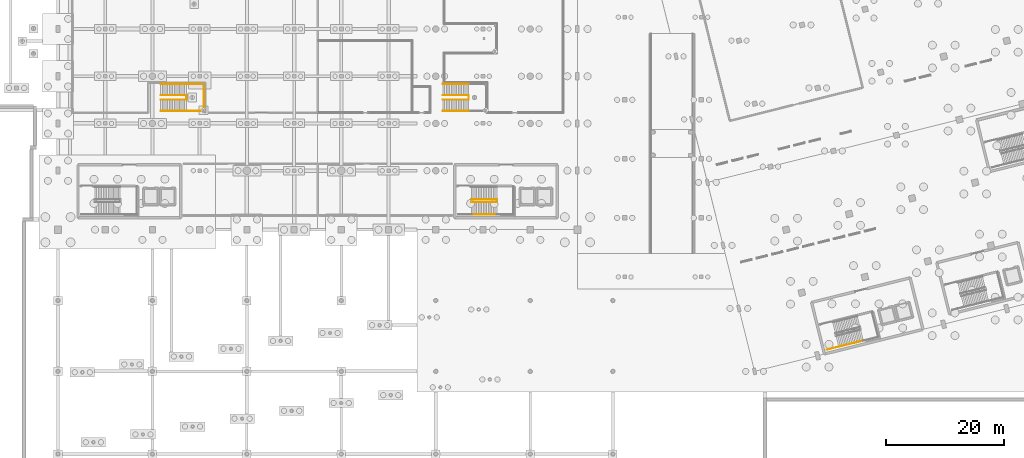
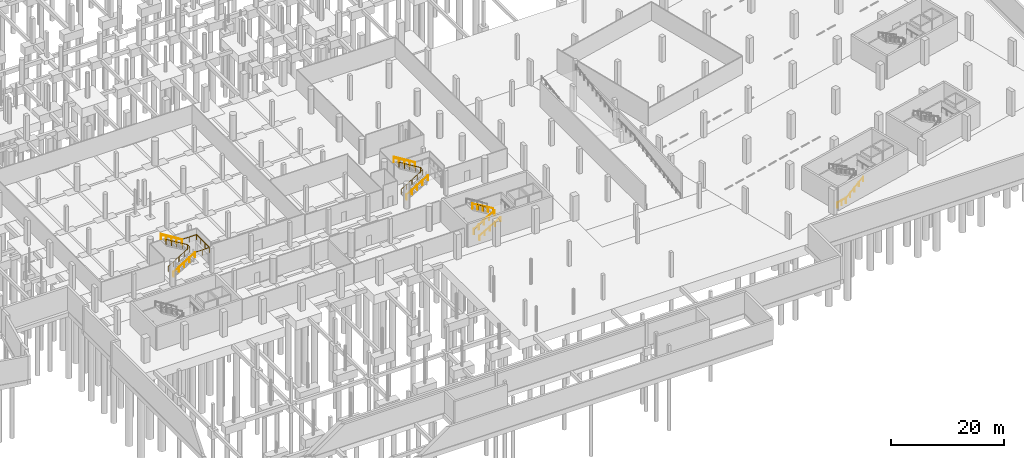
# One storey, part 61 of 65: 17 railings, 2 elements without a shape of their own.
"""IFC4 building model written with IfcOpenShell, lengths in metres."""

from ifc_helpers import new_model, si_unit, direction, frame, origin, origin_2d, place, context, subcontext, project, spatial, rectangle, extrude, material, type_object, element, aggregate, save


model = new_model("IFC4")

# Units and contexts
model_context = context("Model", 3, precision=1e-05, world=origin(), true_north=direction((0.0, 1.0)))
body_context = subcontext(model_context, "Body", "Model", "MODEL_VIEW")
ifc_project = project(units=[si_unit("LENGTHUNIT", "METRE"), si_unit("AREAUNIT", "SQUARE_METRE"), si_unit("VOLUMEUNIT", "CUBIC_METRE"), si_unit("PLANEANGLEUNIT", "RADIAN"), si_unit("MASSUNIT", "GRAM", prefix="KILO")], contexts=[model_context])

# Site, building, storey
site_placement = place(None, origin())
site = spatial("IfcSite", under=ifc_project, at=site_placement, CompositionType="ELEMENT")
building_placement = place(site_placement, origin())
building = spatial("IfcBuilding", under=site, at=building_placement, Name="Khorjan Park Terminus", CompositionType="ELEMENT")
storey_placement = place(building_placement, frame((0.0, 0.0, -5.4)))
storey = spatial("IfcBuildingStorey", under=building, at=storey_placement, Name="B1", CompositionType="ELEMENT", Elevation=-5.4)

# Railings
ifc_material_1 = material(Name="Steel S355", Category="steel")
railing_type_1 = type_object("IfcRailingType", Name="GR-112", PredefinedType="GUARDRAIL", material=ifc_material_1)
railing_1_placement = place(storey_placement, frame((118.06, 30.7, 0.1687)))
element("IfcRailing", 1, at=railing_1_placement, inside=storey, type_object=railing_type_1, Name="B1 ST-02 stair guard 1", PredefinedType="GUARDRAIL", context=body_context, shape_type="SweptSolid", body=[
    extrude(rectangle(XDim=0.048, YDim=0.048, at=origin_2d()), frame((0.0, 0.0, 1.096), z_axis=(0.860470976901, 0.0, 0.509499458206), x_axis=(0.0, 1.0, 0.0)), (0.0, 0.0, 1.0), 4.9682),
    extrude(rectangle(XDim=0.042, YDim=0.042, at=origin_2d()), origin(), (0.0, 0.0, 1.0), 1.072),
    extrude(rectangle(XDim=0.042, YDim=0.042, at=origin_2d()), frame((1.0687, 0.0, 0.6328)), (0.0, 0.0, 1.0), 1.072),
    extrude(rectangle(XDim=0.042, YDim=0.042, at=origin_2d()), frame((2.1375, 0.0, 1.2656)), (0.0, 0.0, 1.0), 1.072),
    extrude(rectangle(XDim=0.042, YDim=0.042, at=origin_2d()), frame((3.2062, 0.0, 1.8985)), (0.0, 0.0, 1.0), 1.072),
    extrude(rectangle(XDim=0.042, YDim=0.042, at=origin_2d()), frame((4.275, 0.0, 2.5313)), (0.0, 0.0, 1.0), 1.072),
])
railing_2_placement = place(storey_placement, frame((122.335, 31.16, 2.8688)))
element("IfcRailing", 2, at=railing_2_placement, inside=storey, type_object=railing_type_1, Name="B1 ST-02 stair guard 5", PredefinedType="GUARDRAIL", context=body_context, shape_type="SweptSolid", body=[
    extrude(rectangle(XDim=0.048, YDim=0.048, at=origin_2d()), frame((0.0, 0.0, 1.096), z_axis=(-0.860479801158, 0.0, 0.509484555015), x_axis=(0.0, -1.0, 0.0)), (0.0, 0.0, 1.0), 4.9682),
    extrude(rectangle(XDim=0.042, YDim=0.042, at=origin_2d()), origin(), (0.0, 0.0, 1.0), 1.072),
    extrude(rectangle(XDim=0.042, YDim=0.042, at=origin_2d()), frame((-1.0687, 0.0, 0.6328)), (0.0, 0.0, 1.0), 1.072),
    extrude(rectangle(XDim=0.042, YDim=0.042, at=origin_2d()), frame((-2.1375, 0.0, 1.2656)), (0.0, 0.0, 1.0), 1.072),
    extrude(rectangle(XDim=0.042, YDim=0.042, at=origin_2d()), frame((-3.2062, 0.0, 1.8984)), (0.0, 0.0, 1.0), 1.072),
    extrude(rectangle(XDim=0.042, YDim=0.042, at=origin_2d()), frame((-4.275, 0.0, 2.5312)), (0.0, 0.0, 1.0), 1.072),
])
railing_3_placement = place(storey_placement, frame((118.24, 30.71, 0.0)))
element("IfcRailing", 3, at=railing_3_placement, inside=storey, type_object=railing_type_1, Name="Core K2 stair well slot guard GR-112 (B1)", PredefinedType="GUARDRAIL", context=body_context, shape_type="SweptSolid", body=[
    extrude(rectangle(XDim=0.048, YDim=0.048, at=origin_2d()), frame((0.0, 0.0, 1.096), z_axis=(0.837308340656, 0.0, 0.546730960041), x_axis=(0.0, 1.0, 0.0)), (0.0, 0.0, 1.0), 4.9384),
    extrude(rectangle(XDim=0.048, YDim=0.048, at=origin_2d()), frame((4.135, 0.0, 3.796), z_axis=(0.0, 1.0, 0.0), x_axis=(-1.0, 0.0, 0.0)), (0.0, 0.0, 1.0), 0.44),
    extrude(rectangle(XDim=0.048, YDim=0.048, at=origin_2d()), frame((4.135, 0.44, 3.796), z_axis=(-0.837308340656, 0.0, 0.546730960041), x_axis=(0.0, -1.0, 0.0)), (0.0, 0.0, 1.0), 4.9384),
    extrude(rectangle(XDim=0.042, YDim=0.042, at=origin_2d()), origin(), (0.0, 0.0, 1.0), 1.072),
    extrude(rectangle(XDim=0.042, YDim=0.042, at=origin_2d()), frame((1.0338, 0.0, 0.675)), (0.0, 0.0, 1.0), 1.072),
    extrude(rectangle(XDim=0.042, YDim=0.042, at=origin_2d()), frame((2.0675, 0.0, 1.35)), (0.0, 0.0, 1.0), 1.072),
    extrude(rectangle(XDim=0.042, YDim=0.042, at=origin_2d()), frame((3.1013, 0.0, 2.025)), (0.0, 0.0, 1.0), 1.072),
    extrude(rectangle(XDim=0.042, YDim=0.042, at=origin_2d()), frame((4.135, 0.0, 2.7)), (0.0, 0.0, 1.0), 1.072),
    extrude(rectangle(XDim=0.042, YDim=0.042, at=origin_2d()), frame((4.135, 0.44, 2.7)), (0.0, 0.0, 1.0), 1.072),
    extrude(rectangle(XDim=0.042, YDim=0.042, at=origin_2d()), frame((3.1013, 0.44, 3.375)), (0.0, 0.0, 1.0), 1.072),
    extrude(rectangle(XDim=0.042, YDim=0.042, at=origin_2d()), frame((2.0675, 0.44, 4.05)), (0.0, 0.0, 1.0), 1.072),
    extrude(rectangle(XDim=0.042, YDim=0.042, at=origin_2d()), frame((1.0338, 0.44, 4.725)), (0.0, 0.0, 1.0), 1.072),
    extrude(rectangle(XDim=0.042, YDim=0.042, at=origin_2d()), frame((0.0, 0.44, 5.4)), (0.0, 0.0, 1.0), 1.072),
])
railing_4_placement = place(storey_placement, frame((178.2746, 5.6787, 0.0)))
element("IfcRailing", 4, at=railing_4_placement, inside=storey, type_object=railing_type_1, Name="B1 ST-03 stair guard 7", PredefinedType="GUARDRAIL", context=body_context, shape_type="SweptSolid", body=[
    extrude(rectangle(XDim=0.048, YDim=0.048, at=origin_2d()), frame((0.0, 0.0, 1.096), z_axis=(0.97029080484, 0.241941633546, 0.0), x_axis=(-0.241941633546, 0.97029080484, 0.0)), (0.0, 0.0, 1.0), 2.06),
    extrude(rectangle(XDim=0.042, YDim=0.042, at=origin_2d()), origin(), (0.0, 0.0, 1.0), 1.072),
    extrude(rectangle(XDim=0.042, YDim=0.042, at=origin_2d()), frame((0.9994, 0.2492, 0.0)), (0.0, 0.0, 1.0), 1.072),
    extrude(rectangle(XDim=0.042, YDim=0.042, at=origin_2d()), frame((1.9988, 0.4984, 0.0)), (0.0, 0.0, 1.0), 1.072),
])

# Stair, railings
ifc_material_2 = material(Name="Concrete C40/50", Category="concrete")
stair_type = type_object("IfcStairType", Name="STR-PUB-200", PredefinedType="HALF_TURN_STAIR", material=ifc_material_2)
stair_1_placement = place(storey_placement, origin())
stair_1 = element("IfcStair", 5, at=stair_1_placement, inside=storey, type_object=stair_type, Name="Public passenger half-turn stair CS-01", PredefinedType="HALF_TURN_STAIR")
railing_5_placement = place(storey_placement, frame((65.4, 48.02, 0.0)))
railing_5 = element("IfcRailing", 6, at=railing_5_placement, type_object=railing_type_1, Name="Stair CS-01 inner well slot guard GR-112", PredefinedType="GUARDRAIL", context=body_context, shape_type="SweptSolid", body=[
    extrude(rectangle(XDim=0.048, YDim=0.048, at=origin_2d()), frame((0.0, 0.0, 1.096), z_axis=(0.851791528641, 0.0, 0.523880894608), x_axis=(0.0, 1.0, 0.0)), (0.0, 0.0, 1.0), 5.1538),
    extrude(rectangle(XDim=0.048, YDim=0.048, at=origin_2d()), frame((4.39, 0.0, 3.796), z_axis=(0.0, 1.0, 0.0), x_axis=(-1.0, 0.0, 0.0)), (0.0, 0.0, 1.0), 0.76),
    extrude(rectangle(XDim=0.048, YDim=0.048, at=origin_2d()), frame((4.39, 0.76, 3.796), z_axis=(-0.851791528641, 0.0, 0.523880894608), x_axis=(0.0, -1.0, 0.0)), (0.0, 0.0, 1.0), 5.1538),
    extrude(rectangle(XDim=0.042, YDim=0.042, at=origin_2d()), origin(), (0.0, 0.0, 1.0), 1.072),
    extrude(rectangle(XDim=0.042, YDim=0.042, at=origin_2d()), frame((1.0975, 0.0, 0.675)), (0.0, 0.0, 1.0), 1.072),
    extrude(rectangle(XDim=0.042, YDim=0.042, at=origin_2d()), frame((2.195, 0.0, 1.35)), (0.0, 0.0, 1.0), 1.072),
    extrude(rectangle(XDim=0.042, YDim=0.042, at=origin_2d()), frame((3.2925, 0.0, 2.025)), (0.0, 0.0, 1.0), 1.072),
    extrude(rectangle(XDim=0.042, YDim=0.042, at=origin_2d()), frame((4.39, 0.0, 2.7)), (0.0, 0.0, 1.0), 1.072),
    extrude(rectangle(XDim=0.042, YDim=0.042, at=origin_2d()), frame((4.39, 0.76, 2.7)), (0.0, 0.0, 1.0), 1.072),
    extrude(rectangle(XDim=0.042, YDim=0.042, at=origin_2d()), frame((3.2925, 0.76, 3.375)), (0.0, 0.0, 1.0), 1.072),
    extrude(rectangle(XDim=0.042, YDim=0.042, at=origin_2d()), frame((2.195, 0.76, 4.05)), (0.0, 0.0, 1.0), 1.072),
    extrude(rectangle(XDim=0.042, YDim=0.042, at=origin_2d()), frame((1.0975, 0.76, 4.725)), (0.0, 0.0, 1.0), 1.072),
    extrude(rectangle(XDim=0.042, YDim=0.042, at=origin_2d()), frame((0.0, 0.76, 5.4)), (0.0, 0.0, 1.0), 1.072),
])
railing_6_placement = place(storey_placement, frame((69.75, 46.1, 2.7)))
railing_6 = element("IfcRailing", 7, at=railing_6_placement, type_object=railing_type_1, Name="Stair CS-01 horizontal half-landing guard GR-112", PredefinedType="GUARDRAIL", context=body_context, shape_type="SweptSolid", body=[
    extrude(rectangle(XDim=0.048, YDim=0.048, at=origin_2d()), frame((0.0, 0.0, 1.096), z_axis=(1.0, 0.0, 0.0), x_axis=(0.0, 1.0, 0.0)), (0.0, 0.0, 1.0), 2.99),
    extrude(rectangle(XDim=0.048, YDim=0.048, at=origin_2d()), frame((2.99, 0.0, 1.096), z_axis=(0.0, 1.0, 0.0), x_axis=(-1.0, 0.0, 0.0)), (0.0, 0.0, 1.0), 4.6),
    extrude(rectangle(XDim=0.048, YDim=0.048, at=origin_2d()), frame((2.99, 4.6, 1.096), z_axis=(-1.0, 0.0, 0.0), x_axis=(0.0, -1.0, 0.0)), (0.0, 0.0, 1.0), 2.99),
    extrude(rectangle(XDim=0.042, YDim=0.042, at=origin_2d()), origin(), (0.0, 0.0, 1.0), 1.072),
    extrude(rectangle(XDim=0.042, YDim=0.042, at=origin_2d()), frame((1.495, 0.0, 0.0)), (0.0, 0.0, 1.0), 1.072),
    extrude(rectangle(XDim=0.042, YDim=0.042, at=origin_2d()), frame((2.99, 0.0, 0.0)), (0.0, 0.0, 1.0), 1.072),
    extrude(rectangle(XDim=0.042, YDim=0.042, at=origin_2d()), frame((2.99, 1.5333, 0.0)), (0.0, 0.0, 1.0), 1.072),
    extrude(rectangle(XDim=0.042, YDim=0.042, at=origin_2d()), frame((2.99, 3.0667, 0.0)), (0.0, 0.0, 1.0), 1.072),
    extrude(rectangle(XDim=0.042, YDim=0.042, at=origin_2d()), frame((2.99, 4.6, 0.0)), (0.0, 0.0, 1.0), 1.072),
    extrude(rectangle(XDim=0.042, YDim=0.042, at=origin_2d()), frame((1.495, 4.6, 0.0)), (0.0, 0.0, 1.0), 1.072),
    extrude(rectangle(XDim=0.042, YDim=0.042, at=origin_2d()), frame((0.0, 4.6, 0.0)), (0.0, 0.0, 1.0), 1.072),
])
railing_7_placement = place(storey_placement, frame((65.4, 46.1, 0.0)))
railing_7 = element("IfcRailing", 8, at=railing_7_placement, type_object=railing_type_1, Name="Stair CS-01 lower outer flight guard GR-112", PredefinedType="GUARDRAIL", context=body_context, shape_type="SweptSolid", body=[
    extrude(rectangle(XDim=0.048, YDim=0.048, at=origin_2d()), frame((0.0, 0.0, 1.096), z_axis=(0.849640166198, 0.0, 0.527362861778), x_axis=(0.0, 1.0, 0.0)), (0.0, 0.0, 1.0), 5.1198),
    extrude(rectangle(XDim=0.042, YDim=0.042, at=origin_2d()), origin(), (0.0, 0.0, 1.0), 1.072),
    extrude(rectangle(XDim=0.042, YDim=0.042, at=origin_2d()), frame((1.0875, 0.0, 0.675)), (0.0, 0.0, 1.0), 1.072),
    extrude(rectangle(XDim=0.042, YDim=0.042, at=origin_2d()), frame((2.175, 0.0, 1.35)), (0.0, 0.0, 1.0), 1.072),
    extrude(rectangle(XDim=0.042, YDim=0.042, at=origin_2d()), frame((3.2625, 0.0, 2.025)), (0.0, 0.0, 1.0), 1.072),
    extrude(rectangle(XDim=0.042, YDim=0.042, at=origin_2d()), frame((4.35, 0.0, 2.7)), (0.0, 0.0, 1.0), 1.072),
])
railing_8_placement = place(storey_placement, frame((69.75, 50.7, 2.7)))
railing_8 = element("IfcRailing", 9, at=railing_8_placement, type_object=railing_type_1, Name="Stair CS-01 upper outer flight guard GR-112", PredefinedType="GUARDRAIL", context=body_context, shape_type="SweptSolid", body=[
    extrude(rectangle(XDim=0.048, YDim=0.048, at=origin_2d()), frame((0.0, 0.0, 1.096), z_axis=(-0.849640166198, 0.0, 0.527362861778), x_axis=(0.0, -1.0, 0.0)), (0.0, 0.0, 1.0), 5.1198),
    extrude(rectangle(XDim=0.042, YDim=0.042, at=origin_2d()), origin(), (0.0, 0.0, 1.0), 1.072),
    extrude(rectangle(XDim=0.042, YDim=0.042, at=origin_2d()), frame((-1.0875, 0.0, 0.675)), (0.0, 0.0, 1.0), 1.072),
    extrude(rectangle(XDim=0.042, YDim=0.042, at=origin_2d()), frame((-2.175, 0.0, 1.35)), (0.0, 0.0, 1.0), 1.072),
    extrude(rectangle(XDim=0.042, YDim=0.042, at=origin_2d()), frame((-3.2625, 0.0, 2.025)), (0.0, 0.0, 1.0), 1.072),
    extrude(rectangle(XDim=0.042, YDim=0.042, at=origin_2d()), frame((-4.35, 0.0, 2.7)), (0.0, 0.0, 1.0), 1.072),
])

stair_2_placement = place(storey_placement, origin())
stair_2 = element("IfcStair", 10, at=stair_2_placement, inside=storey, type_object=stair_type, Name="Public passenger half-turn stair CS-02", PredefinedType="HALF_TURN_STAIR")
railing_9_placement = place(storey_placement, frame((113.2, 48.02, 0.0)))
railing_9 = element("IfcRailing", 11, at=railing_9_placement, type_object=railing_type_1, Name="Stair CS-02 inner well slot guard GR-112", PredefinedType="GUARDRAIL", context=body_context, shape_type="SweptSolid", body=[
    extrude(rectangle(XDim=0.048, YDim=0.048, at=origin_2d()), frame((0.0, 0.0, 1.096), z_axis=(0.851791528641, 0.0, 0.523880894608), x_axis=(0.0, 1.0, 0.0)), (0.0, 0.0, 1.0), 5.1538),
    extrude(rectangle(XDim=0.048, YDim=0.048, at=origin_2d()), frame((4.39, 0.0, 3.796), z_axis=(0.0, 1.0, 0.0), x_axis=(-1.0, 0.0, 0.0)), (0.0, 0.0, 1.0), 0.76),
    extrude(rectangle(XDim=0.048, YDim=0.048, at=origin_2d()), frame((4.39, 0.76, 3.796), z_axis=(-0.851791528641, 0.0, 0.523880894608), x_axis=(0.0, -1.0, 0.0)), (0.0, 0.0, 1.0), 5.1538),
    extrude(rectangle(XDim=0.042, YDim=0.042, at=origin_2d()), origin(), (0.0, 0.0, 1.0), 1.072),
    extrude(rectangle(XDim=0.042, YDim=0.042, at=origin_2d()), frame((1.0975, 0.0, 0.675)), (0.0, 0.0, 1.0), 1.072),
    extrude(rectangle(XDim=0.042, YDim=0.042, at=origin_2d()), frame((2.195, 0.0, 1.35)), (0.0, 0.0, 1.0), 1.072),
    extrude(rectangle(XDim=0.042, YDim=0.042, at=origin_2d()), frame((3.2925, 0.0, 2.025)), (0.0, 0.0, 1.0), 1.072),
    extrude(rectangle(XDim=0.042, YDim=0.042, at=origin_2d()), frame((4.39, 0.0, 2.7)), (0.0, 0.0, 1.0), 1.072),
    extrude(rectangle(XDim=0.042, YDim=0.042, at=origin_2d()), frame((4.39, 0.76, 2.7)), (0.0, 0.0, 1.0), 1.072),
    extrude(rectangle(XDim=0.042, YDim=0.042, at=origin_2d()), frame((3.2925, 0.76, 3.375)), (0.0, 0.0, 1.0), 1.072),
    extrude(rectangle(XDim=0.042, YDim=0.042, at=origin_2d()), frame((2.195, 0.76, 4.05)), (0.0, 0.0, 1.0), 1.072),
    extrude(rectangle(XDim=0.042, YDim=0.042, at=origin_2d()), frame((1.0975, 0.76, 4.725)), (0.0, 0.0, 1.0), 1.072),
    extrude(rectangle(XDim=0.042, YDim=0.042, at=origin_2d()), frame((0.0, 0.76, 5.4)), (0.0, 0.0, 1.0), 1.072),
])
railing_10_placement = place(storey_placement, frame((113.2, 46.1, 0.0)))
railing_10 = element("IfcRailing", 12, at=railing_10_placement, type_object=railing_type_1, Name="Stair CS-02 lower outer flight guard GR-112", PredefinedType="GUARDRAIL", context=body_context, shape_type="SweptSolid", body=[
    extrude(rectangle(XDim=0.048, YDim=0.048, at=origin_2d()), frame((0.0, 0.0, 1.096), z_axis=(0.849640166198, 0.0, 0.527362861778), x_axis=(0.0, 1.0, 0.0)), (0.0, 0.0, 1.0), 5.1198),
    extrude(rectangle(XDim=0.042, YDim=0.042, at=origin_2d()), origin(), (0.0, 0.0, 1.0), 1.072),
    extrude(rectangle(XDim=0.042, YDim=0.042, at=origin_2d()), frame((1.0875, 0.0, 0.675)), (0.0, 0.0, 1.0), 1.072),
    extrude(rectangle(XDim=0.042, YDim=0.042, at=origin_2d()), frame((2.175, 0.0, 1.35)), (0.0, 0.0, 1.0), 1.072),
    extrude(rectangle(XDim=0.042, YDim=0.042, at=origin_2d()), frame((3.2625, 0.0, 2.025)), (0.0, 0.0, 1.0), 1.072),
    extrude(rectangle(XDim=0.042, YDim=0.042, at=origin_2d()), frame((4.35, 0.0, 2.7)), (0.0, 0.0, 1.0), 1.072),
])
railing_11_placement = place(storey_placement, frame((117.55, 50.7, 2.7)))
railing_11 = element("IfcRailing", 13, at=railing_11_placement, type_object=railing_type_1, Name="Stair CS-02 upper outer flight guard GR-112", PredefinedType="GUARDRAIL", context=body_context, shape_type="SweptSolid", body=[
    extrude(rectangle(XDim=0.048, YDim=0.048, at=origin_2d()), frame((0.0, 0.0, 1.096), z_axis=(-0.849640166198, 0.0, 0.527362861778), x_axis=(0.0, -1.0, 0.0)), (0.0, 0.0, 1.0), 5.1198),
    extrude(rectangle(XDim=0.042, YDim=0.042, at=origin_2d()), origin(), (0.0, 0.0, 1.0), 1.072),
    extrude(rectangle(XDim=0.042, YDim=0.042, at=origin_2d()), frame((-1.0875, 0.0, 0.675)), (0.0, 0.0, 1.0), 1.072),
    extrude(rectangle(XDim=0.042, YDim=0.042, at=origin_2d()), frame((-2.175, 0.0, 1.35)), (0.0, 0.0, 1.0), 1.072),
    extrude(rectangle(XDim=0.042, YDim=0.042, at=origin_2d()), frame((-3.2625, 0.0, 2.025)), (0.0, 0.0, 1.0), 1.072),
    extrude(rectangle(XDim=0.042, YDim=0.042, at=origin_2d()), frame((-4.35, 0.0, 2.7)), (0.0, 0.0, 1.0), 1.072),
])

# Railings
railing_type_2 = type_object("IfcRailingType", Name="HR-92", PredefinedType="HANDRAIL", material=ifc_material_1)
railing_12_placement = place(storey_placement, frame((118.06, 28.6, 0.1687)))
element("IfcRailing", 14, at=railing_12_placement, inside=storey, type_object=railing_type_2, Name="B1 ST-02 stair handrail 1", PredefinedType="HANDRAIL", context=body_context, shape_type="SweptSolid", body=[
    extrude(rectangle(XDim=0.048, YDim=0.048, at=origin_2d()), frame((0.0, 0.0, 0.896), z_axis=(0.860470976901, 0.0, 0.509499458206), x_axis=(0.0, 1.0, 0.0)), (0.0, 0.0, 1.0), 4.9682),
    extrude(rectangle(XDim=0.042, YDim=0.042, at=origin_2d()), origin(), (0.0, 0.0, 1.0), 0.872),
    extrude(rectangle(XDim=0.042, YDim=0.042, at=origin_2d()), frame((1.0687, 0.0, 0.6328)), (0.0, 0.0, 1.0), 0.872),
    extrude(rectangle(XDim=0.042, YDim=0.042, at=origin_2d()), frame((2.1375, 0.0, 1.2656)), (0.0, 0.0, 1.0), 0.872),
    extrude(rectangle(XDim=0.042, YDim=0.042, at=origin_2d()), frame((3.2062, 0.0, 1.8985)), (0.0, 0.0, 1.0), 0.872),
    extrude(rectangle(XDim=0.042, YDim=0.042, at=origin_2d()), frame((4.275, 0.0, 2.5313)), (0.0, 0.0, 1.0), 0.872),
])
railing_13_placement = place(storey_placement, frame((180.2734, 6.1771, 0.1687)))
element("IfcRailing", 15, at=railing_13_placement, inside=storey, type_object=railing_type_2, Name="B1 ST-03 stair handrail 1", PredefinedType="HANDRAIL", context=body_context, shape_type="SweptSolid", body=[
    extrude(rectangle(XDim=0.048, YDim=0.048, at=origin_2d()), frame((0.0, 0.0, 0.896), z_axis=(0.83491100719, 0.20816416674, 0.509501020371), x_axis=(-0.241919130453, 0.9702964157, 0.0)), (0.0, 0.0, 1.0), 4.9682),
    extrude(rectangle(XDim=0.042, YDim=0.042, at=origin_2d()), origin(), (0.0, 0.0, 1.0), 0.872),
    extrude(rectangle(XDim=0.042, YDim=0.042, at=origin_2d()), frame((1.037, 0.2585, 0.6328)), (0.0, 0.0, 1.0), 0.872),
    extrude(rectangle(XDim=0.042, YDim=0.042, at=origin_2d()), frame((2.074, 0.5171, 1.2656)), (0.0, 0.0, 1.0), 0.872),
    extrude(rectangle(XDim=0.042, YDim=0.042, at=origin_2d()), frame((3.111, 0.7756, 1.8985)), (0.0, 0.0, 1.0), 0.872),
    extrude(rectangle(XDim=0.042, YDim=0.042, at=origin_2d()), frame((4.148, 1.0342, 2.5313)), (0.0, 0.0, 1.0), 0.872),
])

# Railing
railing_14_placement = place(storey_placement, frame((65.4, 46.14, 0.1687)))
railing_14 = element("IfcRailing", 16, at=railing_14_placement, type_object=railing_type_2, Name="Stair CS-01 lower handrail HR-92", PredefinedType="HANDRAIL", context=body_context, shape_type="SweptSolid", body=[
    extrude(rectangle(XDim=0.048, YDim=0.048, at=origin_2d()), frame((0.0, 0.0, 0.896), z_axis=(0.864314574144, 0.0, 0.50295160495), x_axis=(0.0, 1.0, 0.0)), (0.0, 0.0, 1.0), 5.0329),
    extrude(rectangle(XDim=0.042, YDim=0.042, at=origin_2d()), origin(), (0.0, 0.0, 1.0), 0.872),
    extrude(rectangle(XDim=0.042, YDim=0.042, at=origin_2d()), frame((1.0875, 0.0, 0.6328)), (0.0, 0.0, 1.0), 0.872),
    extrude(rectangle(XDim=0.042, YDim=0.042, at=origin_2d()), frame((2.175, 0.0, 1.2656)), (0.0, 0.0, 1.0), 0.872),
    extrude(rectangle(XDim=0.042, YDim=0.042, at=origin_2d()), frame((3.2625, 0.0, 1.8985)), (0.0, 0.0, 1.0), 0.872),
    extrude(rectangle(XDim=0.042, YDim=0.042, at=origin_2d()), frame((4.35, 0.0, 2.5313)), (0.0, 0.0, 1.0), 0.872),
])

railing_15_placement = place(storey_placement, frame((69.75, 50.66, 2.8688)))
railing_15 = element("IfcRailing", 17, at=railing_15_placement, type_object=railing_type_2, Name="Stair CS-01 upper handrail HR-92", PredefinedType="HANDRAIL", context=body_context, shape_type="SweptSolid", body=[
    extrude(rectangle(XDim=0.048, YDim=0.048, at=origin_2d()), frame((0.0, 0.0, 0.896), z_axis=(-0.864323211455, 0.0, 0.502936761571), x_axis=(0.0, -1.0, 0.0)), (0.0, 0.0, 1.0), 5.0328),
    extrude(rectangle(XDim=0.042, YDim=0.042, at=origin_2d()), origin(), (0.0, 0.0, 1.0), 0.872),
    extrude(rectangle(XDim=0.042, YDim=0.042, at=origin_2d()), frame((-1.0875, 0.0, 0.6328)), (0.0, 0.0, 1.0), 0.872),
    extrude(rectangle(XDim=0.042, YDim=0.042, at=origin_2d()), frame((-2.175, 0.0, 1.2656)), (0.0, 0.0, 1.0), 0.872),
    extrude(rectangle(XDim=0.042, YDim=0.042, at=origin_2d()), frame((-3.2625, 0.0, 1.8984)), (0.0, 0.0, 1.0), 0.872),
    extrude(rectangle(XDim=0.042, YDim=0.042, at=origin_2d()), frame((-4.35, 0.0, 2.5312)), (0.0, 0.0, 1.0), 0.872),
])

aggregate(stair_1, [railing_14, railing_15, railing_5, railing_6, railing_7, railing_8])

railing_16_placement = place(storey_placement, frame((113.2, 46.14, 0.1687)))
railing_16 = element("IfcRailing", 18, at=railing_16_placement, type_object=railing_type_2, Name="Stair CS-02 lower handrail HR-92", PredefinedType="HANDRAIL", context=body_context, shape_type="SweptSolid", body=[
    extrude(rectangle(XDim=0.048, YDim=0.048, at=origin_2d()), frame((0.0, 0.0, 0.896), z_axis=(0.864314574144, 0.0, 0.50295160495), x_axis=(0.0, 1.0, 0.0)), (0.0, 0.0, 1.0), 5.0329),
    extrude(rectangle(XDim=0.042, YDim=0.042, at=origin_2d()), origin(), (0.0, 0.0, 1.0), 0.872),
    extrude(rectangle(XDim=0.042, YDim=0.042, at=origin_2d()), frame((1.0875, 0.0, 0.6328)), (0.0, 0.0, 1.0), 0.872),
    extrude(rectangle(XDim=0.042, YDim=0.042, at=origin_2d()), frame((2.175, 0.0, 1.2656)), (0.0, 0.0, 1.0), 0.872),
    extrude(rectangle(XDim=0.042, YDim=0.042, at=origin_2d()), frame((3.2625, 0.0, 1.8985)), (0.0, 0.0, 1.0), 0.872),
    extrude(rectangle(XDim=0.042, YDim=0.042, at=origin_2d()), frame((4.35, 0.0, 2.5313)), (0.0, 0.0, 1.0), 0.872),
])

railing_17_placement = place(storey_placement, frame((117.55, 50.66, 2.8688)))
railing_17 = element("IfcRailing", 19, at=railing_17_placement, type_object=railing_type_2, Name="Stair CS-02 upper handrail HR-92", PredefinedType="HANDRAIL", context=body_context, shape_type="SweptSolid", body=[
    extrude(rectangle(XDim=0.048, YDim=0.048, at=origin_2d()), frame((0.0, 0.0, 0.896), z_axis=(-0.864323211455, 0.0, 0.502936761571), x_axis=(0.0, -1.0, 0.0)), (0.0, 0.0, 1.0), 5.0328),
    extrude(rectangle(XDim=0.042, YDim=0.042, at=origin_2d()), origin(), (0.0, 0.0, 1.0), 0.872),
    extrude(rectangle(XDim=0.042, YDim=0.042, at=origin_2d()), frame((-1.0875, 0.0, 0.6328)), (0.0, 0.0, 1.0), 0.872),
    extrude(rectangle(XDim=0.042, YDim=0.042, at=origin_2d()), frame((-2.175, 0.0, 1.2656)), (0.0, 0.0, 1.0), 0.872),
    extrude(rectangle(XDim=0.042, YDim=0.042, at=origin_2d()), frame((-3.2625, 0.0, 1.8984)), (0.0, 0.0, 1.0), 0.872),
    extrude(rectangle(XDim=0.042, YDim=0.042, at=origin_2d()), frame((-4.35, 0.0, 2.5312)), (0.0, 0.0, 1.0), 0.872),
])

aggregate(stair_2, [railing_16, railing_17, railing_9, railing_10, railing_11])

save(model, "model.ifc")
